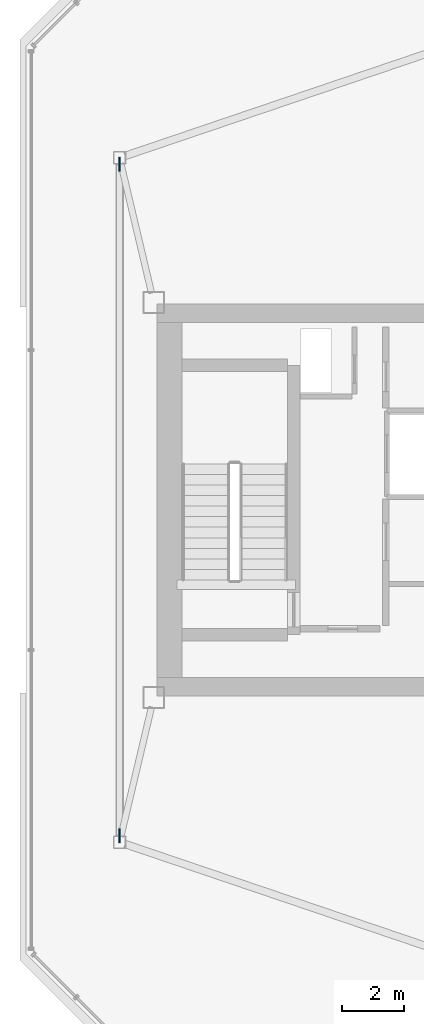
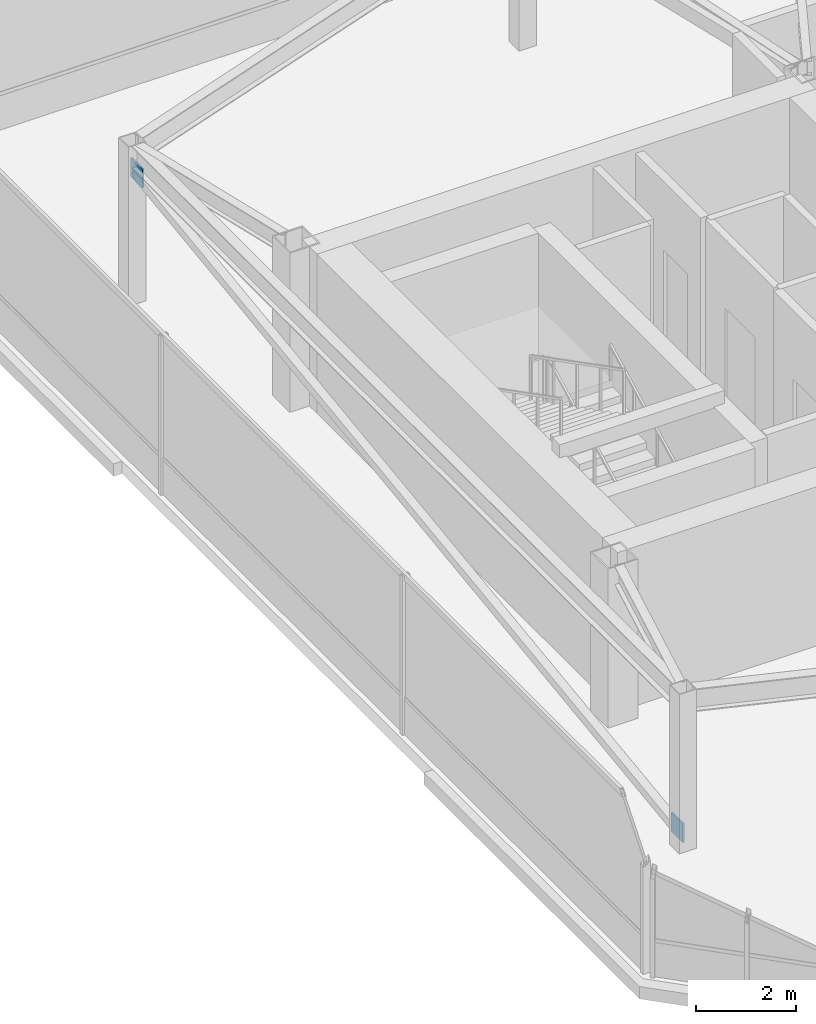
# One storey, part 20 of 22: 2 discrete accessories.
"""IFC4 building model written with IfcOpenShell, lengths in metres."""

from ifc_helpers import new_model, si_unit, direction, frame, origin, origin_2d, place, context, subcontext, project, spatial, rectangle, extrude, material, type_object, element, save


model = new_model("IFC4")

# Units and contexts
model_context = context("Model", 3, precision=1e-05, world=origin(), true_north=direction((0.0, 1.0)))
body_context = subcontext(model_context, "Body", "Model", "MODEL_VIEW")
ifc_project = project(units=[si_unit("LENGTHUNIT", "METRE"), si_unit("AREAUNIT", "SQUARE_METRE"), si_unit("VOLUMEUNIT", "CUBIC_METRE"), si_unit("PLANEANGLEUNIT", "RADIAN"), si_unit("MASSUNIT", "GRAM", prefix="KILO")], contexts=[model_context])

# Site, building, storey
site_placement = place(None, origin())
site = spatial("IfcSite", under=ifc_project, at=site_placement, CompositionType="ELEMENT")
building_placement = place(site_placement, origin())
building = spatial("IfcBuilding", under=site, at=building_placement, Name="Tavrogorsk Clinical Tower", CompositionType="ELEMENT")
storey_placement = place(building_placement, frame((0.0, 0.0, 352.800048828125)))
storey = spatial("IfcBuildingStorey", under=building, at=storey_placement, Name="L82", CompositionType="ELEMENT", Elevation=352.800048828125)

# Discrete accessories
ifc_material = material(Name="Structural steel S440", Category="steel")
discrete_accessory_type = type_object("IfcDiscreteAccessoryType", Name="GussetPlateBracket_25", PredefinedType="BRACKET", material=ifc_material)
for number, where, z_axis, x_axis, name in (
    (1, (-23.199951171875, -10.791748046875, 0.09765625), (0.0, 0.0, 1.0), (0.0, 1.0, 0.0), "L82 Brace Gusset Plate CRNBR-L82-1-A"),
    (2, (-23.199951171875, 10.791748046875, 2.97216796875), (0.0, 0.0, 1.0), (0.0, 1.0, 0.0), "L82 Brace Gusset Plate CRNBR-L82-1-B"),
):
    element("IfcDiscreteAccessory", number, at=place(storey_placement, frame(where, z_axis=z_axis, x_axis=x_axis)), inside=storey, type_object=discrete_accessory_type, Name=name, PredefinedType="BRACKET", context=body_context, shape_type="SweptSolid", body=[
        extrude(rectangle(XDim=0.4599609375, YDim=0.0400390625, at=origin_2d()), origin(), (0.0, 0.0, 1.0), 0.4599609375),
    ])

save(model, "model.ifc")
